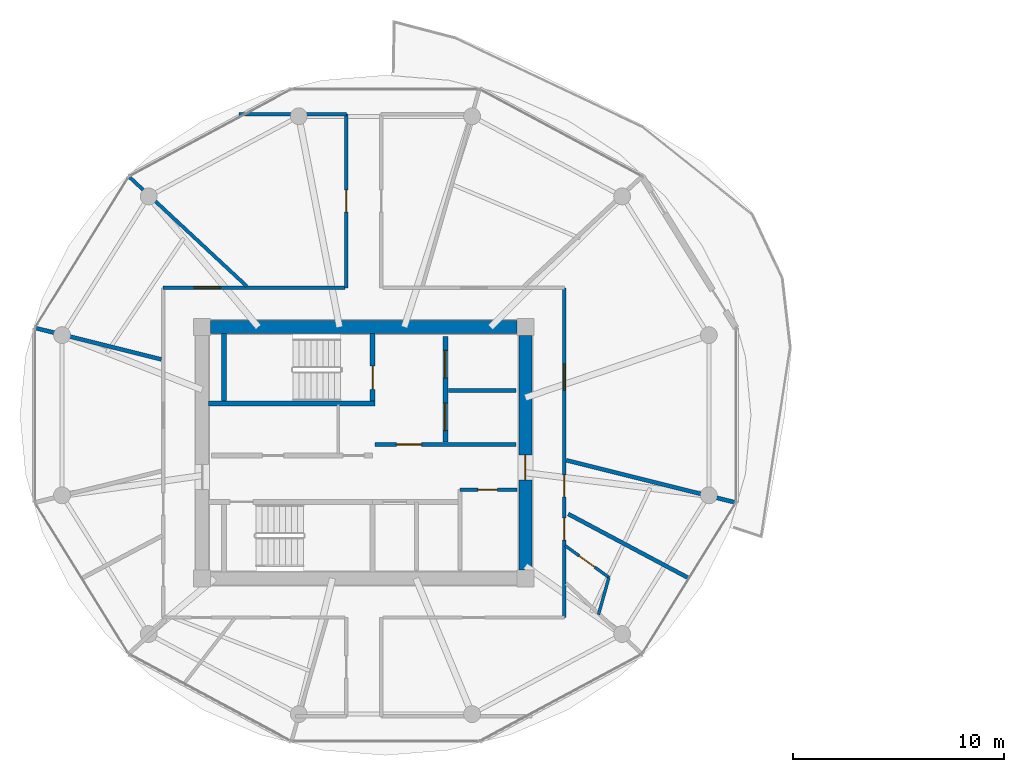
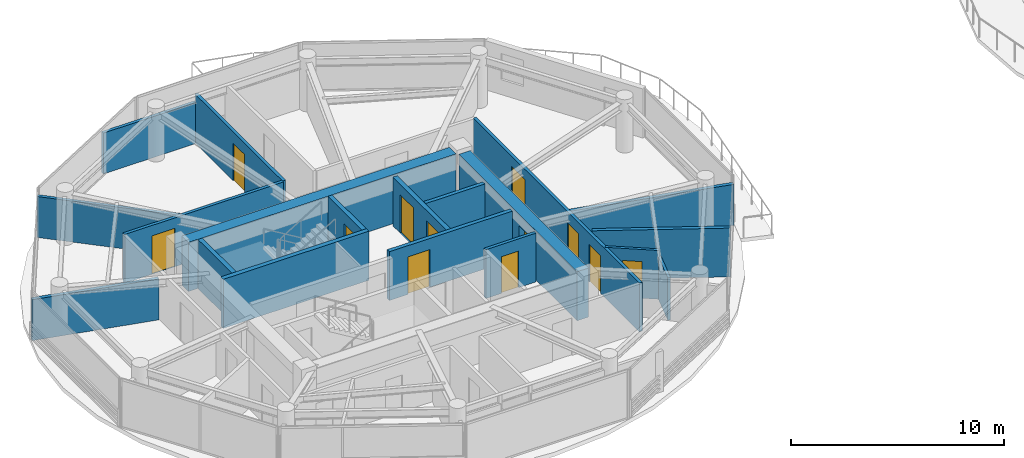
# One storey, part 14 of 21: 19 walls, 12 doors, 12 openings.
"""IFC4 building model written with IfcOpenShell, lengths in metres."""

import ifcopenshell
import ifcopenshell.guid

model = None  # the IFC model being written
_history = None  # IfcOwnerHistory: only IFC2X3 demands one
_inside = {}  # id of a spatial element -> (the spatial element, [elements in it])
_under = {}  # id of a project, library or spatial element -> (it, [spatial elements below it])
_declared = {}  # id of a project -> (the project, [libraries it declares])
_typed = {}  # id of a type object -> (the type object, [elements of that type])
_made_of = {}  # id of a material, layer set ... -> (it, [elements and type objects made of it])


def new_model(schema):
    """Start an empty IFC model of exactly this schema.

    Asked for "IFC4X3", IfcOpenShell would pick the latest addendum, in which some entities
    have other attributes; the version numbers below select the first issue.
    IFC2X3 requires an IfcOwnerHistory on every rooted entity: one is made here for all.
    """
    global model, _history
    if schema == "IFC4X3":
        model = ifcopenshell.file(schema_version=(4, 3, 0, 0))
    else:
        model = ifcopenshell.file(schema=schema)
    _inside.clear()
    _under.clear()
    _declared.clear()
    _typed.clear()
    _made_of.clear()
    _history = None
    if model.schema == "IFC2X3":
        org = make("IfcOrganization", Name="unknown")
        user = make(
            "IfcPersonAndOrganization",
            ThePerson=make("IfcPerson", FamilyName="unknown"),
            TheOrganization=org,
        )
        app = make(
            "IfcApplication",
            ApplicationDeveloper=org,
            Version="unknown",
            ApplicationFullName="unknown",
            ApplicationIdentifier="unknown",
        )
        _history = make(
            "IfcOwnerHistory",
            OwningUser=user,
            OwningApplication=app,
            ChangeAction="ADDED",
            CreationDate=0,
        )
    return model


def make(cls, **values):
    """One entity of the class cls with the attributes given. An attribute that is None is left unset."""
    return model.create_entity(
        cls, **{name: value for name, value in values.items() if value is not None}
    )


def rooted(cls, **values):
    """An entity with a GlobalId (a new one), such as an element, a storey or a relation."""
    return make(cls, GlobalId=ifcopenshell.guid.new(), OwnerHistory=_history, **values)


def si_unit(unit_type, name, prefix=None):
    """IfcSIUnit, for example si_unit("LENGTHUNIT", "METRE", prefix="MILLI")."""
    return make("IfcSIUnit", UnitType=unit_type, Prefix=prefix, Name=name)


def assignment(units):
    """IfcUnitAssignment: the units of a project."""
    return None if units is None else make("IfcUnitAssignment", Units=units)


def point(xyz):
    """IfcCartesianPoint."""
    return None if xyz is None else make("IfcCartesianPoint", Coordinates=xyz)


def direction(xyz):
    """IfcDirection."""
    return None if xyz is None else make("IfcDirection", DirectionRatios=xyz)


def frame(location, z_axis=None, x_axis=None):
    """IfcAxis2Placement3D, a coordinate frame: its origin and axes. An axis left out is left unset."""
    return make(
        "IfcAxis2Placement3D",
        Location=point(location),
        Axis=direction(z_axis),
        RefDirection=direction(x_axis),
    )


def frame_2d(location, x_axis=None):
    """IfcAxis2Placement2D, a coordinate frame in the plane: its origin and x axis."""
    return make(
        "IfcAxis2Placement2D", Location=point(location), RefDirection=direction(x_axis)
    )


def origin():
    """The frame at (0, 0, 0) with its axes left unset."""
    return frame((0.0, 0.0, 0.0))


def place(relative_to, where):
    """IfcLocalPlacement: puts the frame where relative to a parent placement (None: the world)."""
    return make(
        "IfcLocalPlacement", PlacementRelTo=relative_to, RelativePlacement=where
    )


def context(
    kind, dimensions, precision=None, world=None, true_north=None, identifier=None
):
    """IfcGeometricRepresentationContext, for example the 3D "Model" context."""
    return make(
        "IfcGeometricRepresentationContext",
        ContextIdentifier=identifier,
        ContextType=kind,
        CoordinateSpaceDimension=dimensions,
        Precision=precision,
        WorldCoordinateSystem=world,
        TrueNorth=true_north,
    )


def subcontext(parent, identifier, kind, view, scale=None):
    """IfcGeometricRepresentationSubContext, for example "Body" below "Model"."""
    return make(
        "IfcGeometricRepresentationSubContext",
        ContextIdentifier=identifier,
        ContextType=kind,
        ParentContext=parent,
        TargetScale=scale,
        TargetView=view,
    )


def project(units=None, contexts=None):
    """IfcProject with its units and contexts."""
    return rooted(
        "IfcProject",
        Name="project",
        RepresentationContexts=contexts,
        UnitsInContext=assignment(units),
    )


def spatial(cls, under=None, at=None, **own):
    """A site, building, storey or space (cls), placed at a placement, below another one or the project."""
    s = rooted(cls, ObjectPlacement=at, **own)
    if under is not None:
        _under.setdefault(under.id(), (under, []))[1].append(s)
    return s


def profile(cls, at=None, kind="AREA", **sizes):
    """A parametric profile (cls). Its sizes go by their IFC names, for example OverallWidth=200.0."""
    return make(cls, ProfileType=kind, Position=at, **sizes)


def rectangle(**sizes):
    """IfcRectangleProfileDef."""
    return profile("IfcRectangleProfileDef", **sizes)


def extrude(swept, where, along, depth):
    """IfcExtrudedAreaSolid: the profile swept, set in the frame where, extruded along a direction by depth."""
    return make(
        "IfcExtrudedAreaSolid",
        SweptArea=swept,
        Position=where,
        ExtrudedDirection=direction(along),
        Depth=depth,
    )


def shape(context_of_items, identifier, shape_type, items):
    """IfcShapeRepresentation: the items that make up one representation, for example the "Body"."""
    return make(
        "IfcShapeRepresentation",
        ContextOfItems=context_of_items,
        RepresentationIdentifier=identifier,
        RepresentationType=shape_type,
        Items=items,
    )


def source(mapping_origin, context_of_items, identifier, shape_type, items):
    """IfcRepresentationMap: a shape defined once, which mapped items show again and again."""
    return make(
        "IfcRepresentationMap",
        MappingOrigin=mapping_origin,
        MappedRepresentation=shape(context_of_items, identifier, shape_type, items),
    )


def transform(
    local_origin,
    x_axis=None,
    y_axis=None,
    z_axis=None,
    scale=None,
    scale2=None,
    scale3=None,
    uniform=True,
):
    """IfcCartesianTransformationOperator3D, or its non-uniform kind. x_axis, y_axis, z_axis: its Axis1, 2, 3."""
    if uniform:
        return make(
            "IfcCartesianTransformationOperator3D",
            Axis1=direction(x_axis),
            Axis2=direction(y_axis),
            LocalOrigin=point(local_origin),
            Scale=scale,
            Axis3=direction(z_axis),
        )
    return make(
        "IfcCartesianTransformationOperator3DnonUniform",
        Axis1=direction(x_axis),
        Axis2=direction(y_axis),
        LocalOrigin=point(local_origin),
        Scale=scale,
        Axis3=direction(z_axis),
        Scale2=scale2,
        Scale3=scale3,
    )


def mapped(mapping_source, mapping_target):
    """IfcMappedItem: shows the shape of a source again, moved by a transform."""
    return make(
        "IfcMappedItem", MappingSource=mapping_source, MappingTarget=mapping_target
    )


def material(Name=None, Category=None):
    """IfcMaterial."""
    return make("IfcMaterial", Name=Name, Category=Category)


def layer(
    of_material, thickness, ventilated=None, Name=None, Category=None, Priority=None
):
    """IfcMaterialLayer: one layer of a wall or slab, of a material (None: an air gap)."""
    return make(
        "IfcMaterialLayer",
        Material=of_material,
        LayerThickness=thickness,
        IsVentilated=ventilated,
        Name=Name,
        Category=Category,
        Priority=Priority,
    )


def layer_set(layers, Name=None):
    """IfcMaterialLayerSet."""
    return make("IfcMaterialLayerSet", MaterialLayers=layers, LayerSetName=Name)


def made_of(thing, what):
    """Note that an element or type object is made of a material, layer set ...; save() writes the relation."""
    if what is not None:
        _made_of.setdefault(what.id(), (what, []))[1].append(thing)
    return thing


def type_object(cls, material=None, **own):
    """A type object (cls), such as IfcWallType, which elements share."""
    return made_of(rooted(cls, **own), material)


def type_shapes(of_type, sources):
    """Give a type object the sources (RepresentationMaps) that its elements show as mapped items."""
    of_type.RepresentationMaps = sources


def element(
    cls,
    number,
    at=None,
    inside=None,
    cuts=None,
    type_object=None,
    material=None,
    context=None,
    identifier="Body",
    shape_type=None,
    held_by="IfcProductDefinitionShape",
    body=None,
    shapes=None,
    **own,
):
    """One element of the class cls, such as IfcWall. Its Tag is "e" and its number.

    at: its placement. inside: the storey or other place that contains it. cuts: it is an
    opening in that element (IfcRelVoidsElement). A single representation is given by context,
    identifier, shape_type and body (its items); several are given by shapes. held_by: the class
    of the entity that holds the representations. save() writes the other relations.
    """
    e = rooted(cls, Tag="e%d" % number, ObjectPlacement=at, **own)
    if body is not None:
        shapes = [shape(context, identifier, shape_type, body)]
    if shapes is not None:
        e.Representation = make(held_by, Representations=shapes)
    if inside is not None:
        _inside.setdefault(inside.id(), (inside, []))[1].append(e)
    if cuts is not None:
        rooted(
            "IfcRelVoidsElement", RelatingBuildingElement=cuts, RelatedOpeningElement=e
        )
    if type_object is not None:
        _typed.setdefault(type_object.id(), (type_object, []))[1].append(e)
    return made_of(e, material)


def fill(opening, filler):
    """IfcRelFillsElement: the door or window that sits in an opening."""
    return rooted(
        "IfcRelFillsElement",
        RelatingOpeningElement=opening,
        RelatedBuildingElement=filler,
    )


def aggregate(whole, parts):
    """IfcRelAggregates: a whole, such as a stair, and the parts it consists of."""
    return rooted("IfcRelAggregates", RelatingObject=whole, RelatedObjects=parts)


def save(model, path):
    """Write the relations noted so far, then the file.

    IfcRelAggregates (storeys below a building ...), IfcRelContainedInSpatialStructure (elements
    in a storey), IfcRelDefinesByType, IfcRelAssociatesMaterial and IfcRelDeclares: one each for
    every whole, place, type object, material and project.
    """
    for whole, parts in _under.values():
        aggregate(whole, parts)
    for where, things in _inside.values():
        rooted(
            "IfcRelContainedInSpatialStructure",
            RelatedElements=things,
            RelatingStructure=where,
        )
    for kind, things in _typed.values():
        rooted("IfcRelDefinesByType", RelatedObjects=things, RelatingType=kind)
    for what, things in _made_of.values():
        rooted("IfcRelAssociatesMaterial", RelatedObjects=things, RelatingMaterial=what)
    for by, libraries in _declared.values():
        rooted("IfcRelDeclares", RelatingContext=by, RelatedDefinitions=libraries)
    model.write(path)


model = new_model("IFC4")

# Units and contexts
model_context = context("Model", 3, precision=1e-05, world=origin(), true_north=direction((0.0, 1.0)))
body_context = subcontext(model_context, "Body", "Model", "MODEL_VIEW")
ifc_project = project(units=[si_unit("LENGTHUNIT", "METRE"), si_unit("AREAUNIT", "SQUARE_METRE"), si_unit("VOLUMEUNIT", "CUBIC_METRE"), si_unit("PLANEANGLEUNIT", "RADIAN"), si_unit("MASSUNIT", "GRAM", prefix="KILO")], contexts=[model_context])

# Site, building, storey
site_placement = place(None, origin())
site = spatial("IfcSite", under=ifc_project, at=site_placement, CompositionType="ELEMENT")
building_placement = place(site_placement, origin())
building = spatial("IfcBuilding", under=site, at=building_placement, Name="Norrkilde Senior Care Towers", CompositionType="ELEMENT")
storey_placement = place(building_placement, frame((0.0, 0.0, 140.39990234375)))
storey = spatial("IfcBuildingStorey", under=building, at=storey_placement, Name="L43", CompositionType="ELEMENT", Elevation=140.39990234375)

# Wall
ifc_material_1 = material(Name="Concrete C50/60", Category="concrete")
ifc_layer_1 = layer(ifc_material_1, 0.6201171875)
ifc_layer_set_1 = layer_set([ifc_layer_1], Name="Concrete C50/60")
wall_type_1 = type_object("IfcWallType", Name="Core Shear Wall Z3 620", PredefinedType="SHEAR", material=ifc_layer_set_1)
shared_shape_1 = source(origin(), body_context, "Body", "SweptSolid", [
    extrude(rectangle(XDim=14.5, YDim=0.6201171875, at=frame_2d((7.25, 0.0))), origin(), (0.0, 0.0, 1.0), 2.81005859375),
])
wall_1_placement = place(storey_placement, frame((-35.25, 5.949951171875, 0.0), z_axis=(0.0, 0.0, 1.0), x_axis=(1.0, 0.0, 0.0)))
element("IfcWall", 1, at=wall_1_placement, inside=storey, type_object=wall_type_1, Name="L43 Core W North Shear Wall", PredefinedType="SHEAR", context=body_context, shape_type="MappedRepresentation", body=[
    mapped(shared_shape_1, transform((0.0, 0.0, 0.0), x_axis=(1.0, 0.0, 0.0), y_axis=(0.0, 1.0, 0.0), z_axis=(0.0, 0.0, 1.0), scale=1.0)),
])

# Wall, opening, door
shared_shape_2 = source(origin(), body_context, "Body", "SweptSolid", [
    extrude(rectangle(XDim=11.10009765625, YDim=0.6201171875, at=frame_2d((5.550048828125, 0.0))), origin(), (0.0, 0.0, 1.0), 2.81005859375),
])
type_shapes(wall_type_1, [shared_shape_1, shared_shape_2])
wall_2_placement = place(storey_placement, frame((-20.35009765625, 5.550048828125, 0.0), z_axis=(0.0, 0.0, 1.0), x_axis=(0.0, -1.0, 0.0)))
wall_2 = element("IfcWall", 2, at=wall_2_placement, inside=storey, type_object=wall_type_1, Name="L43 Core W East Shear Wall", PredefinedType="SHEAR", context=body_context, shape_type="MappedRepresentation", body=[
    mapped(shared_shape_2, transform((0.0, 0.0, 0.0), x_axis=(1.0, 0.0, 0.0), y_axis=(0.0, 1.0, 0.0), z_axis=(0.0, 0.0, 1.0), scale=1.0)),
])
opening_1_placement = place(wall_2_placement, frame((5.64990234375, 0.0, 0.0)))
opening_1 = element("IfcOpeningElement", 3, at=opening_1_placement, cuts=wall_2, Name="Opening D-04", PredefinedType="OPENING", context=body_context, shape_type="SweptSolid", body=[
    extrude(rectangle(XDim=1.199951171875, YDim=2.14990234375, at=frame_2d((0.60009765625, 1.074951171875))), frame((0.0, 0.320068359375, 0.0), z_axis=(0.0, -1.0, 0.0), x_axis=(1.0, 0.0, 0.0)), (0.0, 0.0, 1.0), 0.64013671875),
])
ifc_material_2 = material(Name="Galvanised Painted Steel", Category="steel")
door_type_1 = type_object("IfcDoorType", Name="Firefighting Lobby Fire Door 1200x2150", OperationType="NOTDEFINED", PredefinedType="DOOR", material=ifc_material_2)
shared_shape_3 = source(origin(), body_context, "Body", "SweptSolid", [
    extrude(rectangle(XDim=1.199951171875, YDim=2.14990234375, at=frame_2d((0.60009765625, 1.074951171875))), frame((0.0, 0.02490234375, 0.0), z_axis=(0.0, -1.0, 0.0), x_axis=(1.0, 0.0, 0.0)), (0.0, 0.0, 1.0), 0.050048828125),
])
type_shapes(door_type_1, [shared_shape_3])
door_1_placement = place(opening_1_placement, frame((1.199951171875, 0.0, 0.0), z_axis=(0.0, 0.0, 1.0), x_axis=(-1.0, 0.0, 0.0)))
door_1 = element("IfcDoor", 4, at=door_1_placement, inside=storey, type_object=door_type_1, Name="L43 Core W East Portal Door", OperationType="SINGLE_SWING_RIGHT", OverallHeight=2.14990234375, OverallWidth=1.199951171875, PredefinedType="DOOR", context=body_context, shape_type="MappedRepresentation", body=[
    mapped(shared_shape_3, transform((0.0, 0.0, 0.0), x_axis=(1.0, 0.0, 0.0), y_axis=(0.0, 1.0, 0.0), z_axis=(0.0, 0.0, 1.0), scale=1.0)),
])
fill(opening_1, door_1)

# Walls
ifc_material_3 = material(Name="Concrete C45/55", Category="concrete")
ifc_layer_2 = layer(ifc_material_3, 0.239990234375)
ifc_layer_set_2 = layer_set([ifc_layer_2], Name="Concrete C45/55")
wall_type_2 = type_object("IfcWallType", Name="Shaft and Stair Enclosure Wall 240", PredefinedType="PARTITIONING", material=ifc_layer_set_2)
shared_shape_4 = source(origin(), body_context, "Body", "SweptSolid", [
    extrude(rectangle(XDim=7.880126953125, YDim=0.239990234375, at=frame_2d((3.93994140625, 0.0))), origin(), (0.0, 0.0, 1.0), 2.81005859375),
])
wall_3_placement = place(storey_placement, frame((-35.340087890625, 2.330078125, 0.0), z_axis=(0.0, 0.0, 1.0), x_axis=(1.0, 0.0, 0.0)))
element("IfcWall", 5, at=wall_3_placement, inside=storey, type_object=wall_type_2, Name="WL-INT-L43-W-ST1S", PredefinedType="PARTITIONING", context=body_context, shape_type="MappedRepresentation", body=[
    mapped(shared_shape_4, transform((0.0, 0.0, 0.0), x_axis=(1.0, 0.0, 0.0), y_axis=(0.0, 1.0, 0.0), z_axis=(0.0, 0.0, 1.0), scale=1.0)),
])
shared_shape_5 = source(origin(), body_context, "Body", "SweptSolid", [
    extrude(rectangle(XDim=3.18994140625, YDim=0.239990234375, at=frame_2d((1.594970703125, 0.0))), origin(), (0.0, 0.0, 1.0), 2.81005859375),
])
type_shapes(wall_type_2, [shared_shape_4, shared_shape_5])
wall_4_placement = place(storey_placement, frame((-34.6201171875, 2.449951171875, 0.0), z_axis=(0.0, 0.0, 1.0), x_axis=(0.0, 1.0, 0.0)))
element("IfcWall", 6, at=wall_4_placement, inside=storey, type_object=wall_type_2, Name="WL-INT-L43-W-ST1W", PredefinedType="PARTITIONING", context=body_context, shape_type="MappedRepresentation", body=[
    mapped(shared_shape_5, transform((0.0, 0.0, 0.0), x_axis=(1.0, 0.0, 0.0), y_axis=(0.0, 1.0, 0.0), z_axis=(0.0, 0.0, 1.0), scale=1.0)),
])

# Wall, opening, door
wall_5_placement = place(storey_placement, frame((-27.580078125, 2.449951171875, 0.0), z_axis=(0.0, 0.0, 1.0), x_axis=(0.0, 1.0, 0.0)))
wall_5 = element("IfcWall", 7, at=wall_5_placement, inside=storey, type_object=wall_type_2, Name="WL-INT-L43-W-ST1E", PredefinedType="PARTITIONING", context=body_context, shape_type="MappedRepresentation", body=[
    mapped(shared_shape_5, transform((0.0, 0.0, 0.0), x_axis=(1.0, 0.0, 0.0), y_axis=(0.0, 1.0, 0.0), z_axis=(0.0, 0.0, 1.0), scale=1.0)),
])
opening_2_placement = place(wall_5_placement, frame((0.550048828125, 0.0, 0.0)))
opening_2 = element("IfcOpeningElement", 8, at=opening_2_placement, cuts=wall_5, Name="Opening D-03", PredefinedType="OPENING", context=body_context, shape_type="SweptSolid", body=[
    extrude(rectangle(XDim=1.10009765625, YDim=2.14990234375, at=frame_2d((0.550048828125, 1.074951171875))), frame((0.0, 0.1298828125, 0.0), z_axis=(0.0, -1.0, 0.0), x_axis=(1.0, 0.0, 0.0)), (0.0, 0.0, 1.0), 0.260009765625),
])
door_type_2 = type_object("IfcDoorType", Name="Stairwell Protected Fire Door 1100x2150", OperationType="NOTDEFINED", PredefinedType="DOOR", material=ifc_material_2)
shared_shape_6 = source(origin(), body_context, "Body", "SweptSolid", [
    extrude(rectangle(XDim=1.10009765625, YDim=2.14990234375, at=frame_2d((0.550048828125, 1.074951171875))), frame((0.0, 0.02490234375, 0.0), z_axis=(0.0, -1.0, 0.0), x_axis=(1.0, 0.0, 0.0)), (0.0, 0.0, 1.0), 0.050048828125),
])
type_shapes(door_type_2, [shared_shape_6])
door_2_placement = place(opening_2_placement, origin())
door_2 = element("IfcDoor", 9, at=door_2_placement, inside=storey, type_object=door_type_2, Name="L43 Stair W1 Fire Door", OperationType="SINGLE_SWING_LEFT", OverallHeight=2.14990234375, OverallWidth=1.10009765625, PredefinedType="DOOR", context=body_context, shape_type="MappedRepresentation", body=[
    mapped(shared_shape_6, transform((0.0, 0.0, 0.0), x_axis=(1.0, 0.0, 0.0), y_axis=(0.0, 1.0, 0.0), z_axis=(0.0, 0.0, 1.0), scale=1.0)),
])
fill(opening_2, door_2)

# Wall
ifc_material_4 = material(Name="Gypsum Acoustic Board")
ifc_layer_3 = layer(ifc_material_4, 0.139892578125)
ifc_layer_set_3 = layer_set([ifc_layer_3], Name="Gypsum Acoustic Board")
wall_type_3 = type_object("IfcWallType", Name="En-suite Wet Room Wall 140", PredefinedType="PARTITIONING", material=ifc_layer_set_3)
shared_shape_7 = source(origin(), body_context, "Body", "SweptSolid", [
    extrude(rectangle(XDim=1.825927734375, YDim=0.139892578125, at=frame_2d((0.9130859375, 0.0))), origin(), (0.0, 0.0, 1.0), 2.43505859375),
])
wall_6_placement = place(storey_placement, frame((-16.3955078125, -5.902587890625, 0.0), z_axis=(0.0, 0.0, 1.0), x_axis=(-0.270745576918, -0.962650940154, 0.0)))
element("IfcWall", 10, at=wall_6_placement, inside=storey, type_object=wall_type_3, Name="WL-INT-L43-W-EF-10A", PredefinedType="PARTITIONING", context=body_context, shape_type="MappedRepresentation", body=[
    mapped(shared_shape_7, transform((0.0, 0.0, 0.0), x_axis=(1.0, 0.0, 0.0), y_axis=(0.0, 1.0, 0.0), z_axis=(0.0, 0.0, 1.0), scale=1.0)),
])

# Wall, openings, doors
ifc_layer_4 = layer(ifc_material_3, 0.239990234375)
ifc_layer_set_4 = layer_set([ifc_layer_4], Name="Concrete C45/55")
wall_type_4 = type_object("IfcWallType", Name="Lift and Plant Rated Enclosure Partition 240", PredefinedType="PARTITIONING", material=ifc_layer_set_4)
shared_shape_8 = source(origin(), body_context, "Body", "SweptSolid", [
    extrude(rectangle(XDim=5.0, YDim=0.239990234375, at=frame_2d((2.5, 0.0))), origin(), (0.0, 0.0, 1.0), 2.795166015625),
])
type_shapes(wall_type_4, [shared_shape_8])
wall_7_placement = place(storey_placement, frame((-24.139892578125, 0.5, 0.0), z_axis=(0.0, 0.0, 1.0), x_axis=(0.0, 1.0, 0.0)))
wall_7 = element("IfcWall", 11, at=wall_7_placement, inside=storey, type_object=wall_type_4, Name="WL-INT-L43-W-FFLE", PredefinedType="PARTITIONING", context=body_context, shape_type="MappedRepresentation", body=[
    mapped(shared_shape_8, transform((0.0, 0.0, 0.0), x_axis=(1.0, 0.0, 0.0), y_axis=(0.0, 1.0, 0.0), z_axis=(0.0, 0.0, 1.0), scale=1.0)),
])
opening_3_placement = place(wall_7_placement, frame((3.050048828125, 0.0, 0.0)))
opening_3 = element("IfcOpeningElement", 12, at=opening_3_placement, cuts=wall_7, Name="Opening LD-02", PredefinedType="OPENING", context=body_context, shape_type="SweptSolid", body=[
    extrude(rectangle(XDim=1.300048828125, YDim=2.199951171875, at=frame_2d((0.64990234375, 1.10009765625))), frame((0.0, 0.1298828125, 0.0), z_axis=(0.0, -1.0, 0.0), x_axis=(1.0, 0.0, 0.0)), (0.0, 0.0, 1.0), 0.260009765625),
])
opening_4_placement = place(wall_7_placement, frame((0.550048828125, 0.0, 0.0)))
opening_4 = element("IfcOpeningElement", 13, at=opening_4_placement, cuts=wall_7, Name="Opening LD-02", PredefinedType="OPENING", context=body_context, shape_type="SweptSolid", body=[
    extrude(rectangle(XDim=1.300048828125, YDim=2.199951171875, at=frame_2d((0.64990234375, 1.10009765625))), frame((0.0, 0.1298828125, 0.0), z_axis=(0.0, -1.0, 0.0), x_axis=(1.0, 0.0, 0.0)), (0.0, 0.0, 1.0), 0.260009765625),
])
ifc_material_5 = material(Name="Stainless Steel", Category="steel")
door_type_3 = type_object("IfcDoorType", Name="Stretcher and FFL Landing Sliding Door 1300x2200", OperationType="NOTDEFINED", PredefinedType="DOOR", material=ifc_material_5)
shared_shape_9 = source(origin(), body_context, "Body", "SweptSolid", [
    extrude(rectangle(XDim=1.300048828125, YDim=2.199951171875, at=frame_2d((0.64990234375, 1.10009765625))), frame((0.0, 0.02490234375, 0.0), z_axis=(0.0, -1.0, 0.0), x_axis=(1.0, 0.0, 0.0)), (0.0, 0.0, 1.0), 0.050048828125),
])
type_shapes(door_type_3, [shared_shape_9])
door_3_placement = place(opening_3_placement, origin())
door_3 = element("IfcDoor", 14, at=door_3_placement, inside=storey, type_object=door_type_3, Name="L43 Firefighting Lift W1 Landing Door", OperationType="SLIDING_TO_LEFT", OverallHeight=2.199951171875, OverallWidth=1.300048828125, PredefinedType="DOOR", context=body_context, shape_type="MappedRepresentation", body=[
    mapped(shared_shape_9, transform((0.0, 0.0, 0.0), x_axis=(1.0, 0.0, 0.0), y_axis=(0.0, 1.0, 0.0), z_axis=(0.0, 0.0, 1.0), scale=1.0)),
])
fill(opening_3, door_3)
door_4_placement = place(opening_4_placement, origin())
door_4 = element("IfcDoor", 15, at=door_4_placement, inside=storey, type_object=door_type_3, Name="L43 Stretcher Lift W1 Landing Door", OperationType="SLIDING_TO_RIGHT", OverallHeight=2.199951171875, OverallWidth=1.300048828125, PredefinedType="DOOR", context=body_context, shape_type="MappedRepresentation", body=[
    mapped(shared_shape_9, transform((0.0, 0.0, 0.0), x_axis=(1.0, 0.0, 0.0), y_axis=(0.0, 1.0, 0.0), z_axis=(0.0, 0.0, 1.0), scale=1.0)),
])
fill(opening_4, door_4)

# Wall
ifc_layer_5 = layer(ifc_material_3, 0.199951171875)
ifc_layer_set_5 = layer_set([ifc_layer_5], Name="Concrete C45/55")
wall_type_5 = type_object("IfcWallType", Name="Shaft Division and Plant Partition 200", PredefinedType="PARTITIONING", material=ifc_layer_set_5)
shared_shape_10 = source(origin(), body_context, "Body", "SweptSolid", [
    extrude(rectangle(XDim=3.199951171875, YDim=0.199951171875, at=frame_2d((1.60009765625, 0.0))), origin(), (0.0, 0.0, 1.0), 2.795166015625),
])
type_shapes(wall_type_5, [shared_shape_10])
wall_8_placement = place(storey_placement, frame((-24.0, 2.949951171875, 0.0), z_axis=(0.0, 0.0, 1.0), x_axis=(1.0, 0.0, 0.0)))
element("IfcWall", 16, at=wall_8_placement, inside=storey, type_object=wall_type_5, Name="WL-INT-L43-W-FFLDIV", PredefinedType="PARTITIONING", context=body_context, shape_type="MappedRepresentation", body=[
    mapped(shared_shape_10, transform((0.0, 0.0, 0.0), x_axis=(1.0, 0.0, 0.0), y_axis=(0.0, 1.0, 0.0), z_axis=(0.0, 0.0, 1.0), scale=1.0)),
])

# Wall, opening, door
ifc_layer_6 = layer(ifc_material_3, 0.2099609375)
ifc_layer_set_6 = layer_set([ifc_layer_6], Name="Concrete C45/55")
wall_type_6 = type_object("IfcWallType", Name="Firefighting Lobby Wall 210", PredefinedType="PARTITIONING", material=ifc_layer_set_6)
shared_shape_11 = source(origin(), body_context, "Body", "SweptSolid", [
    extrude(rectangle(XDim=6.659912109375, YDim=0.2099609375, at=frame_2d((3.330078125, 0.0))), origin(), (0.0, 0.0, 1.0), 2.795166015625),
])
type_shapes(wall_type_6, [shared_shape_11])
wall_9_placement = place(storey_placement, frame((-27.4599609375, 0.389892578125, 0.0), z_axis=(0.0, 0.0, 1.0), x_axis=(1.0, 0.0, 0.0)))
wall_9 = element("IfcWall", 17, at=wall_9_placement, inside=storey, type_object=wall_type_6, Name="WL-INT-L43-W-FFLS", PredefinedType="PARTITIONING", context=body_context, shape_type="MappedRepresentation", body=[
    mapped(shared_shape_11, transform((0.0, 0.0, 0.0), x_axis=(1.0, 0.0, 0.0), y_axis=(0.0, 1.0, 0.0), z_axis=(0.0, 0.0, 1.0), scale=1.0)),
])
opening_5_placement = place(wall_9_placement, frame((1.0, 0.0, 0.0)))
opening_5 = element("IfcOpeningElement", 18, at=opening_5_placement, cuts=wall_9, Name="Opening D-04", PredefinedType="OPENING", context=body_context, shape_type="SweptSolid", body=[
    extrude(rectangle(XDim=1.199951171875, YDim=2.14990234375, at=frame_2d((0.60009765625, 1.074951171875))), frame((0.0, 0.114990234375, 0.0), z_axis=(0.0, -1.0, 0.0), x_axis=(1.0, 0.0, 0.0)), (0.0, 0.0, 1.0), 0.22998046875),
])
door_5_placement = place(opening_5_placement, frame((1.199951171875, 0.0, 0.0), z_axis=(0.0, 0.0, 1.0), x_axis=(-1.0, 0.0, 0.0)))
door_5 = element("IfcDoor", 19, at=door_5_placement, inside=storey, type_object=door_type_1, Name="L43 Firefighting Lobby W Door", OperationType="SINGLE_SWING_LEFT", OverallHeight=2.14990234375, OverallWidth=1.199951171875, PredefinedType="DOOR", context=body_context, shape_type="MappedRepresentation", body=[
    mapped(shared_shape_3, transform((0.0, 0.0, 0.0), x_axis=(1.0, 0.0, 0.0), y_axis=(0.0, 1.0, 0.0), z_axis=(0.0, 0.0, 1.0), scale=1.0)),
])
fill(opening_5, door_5)

ifc_layer_7 = layer(ifc_material_4, 0.1650390625)
ifc_layer_set_7 = layer_set([ifc_layer_7], Name="Gypsum Acoustic Board")
wall_type_7 = type_object("IfcWallType", Name="Corridor Rated Partition 165", PredefinedType="PARTITIONING", material=ifc_layer_set_7)
shared_shape_12 = source(origin(), body_context, "Body", "SweptSolid", [
    extrude(rectangle(XDim=2.699951171875, YDim=0.1650390625, at=frame_2d((1.35009765625, 0.0))), origin(), (0.0, 0.0, 1.0), 2.795166015625),
])
wall_10_placement = place(storey_placement, frame((-23.449951171875, -1.75, 0.0), z_axis=(0.0, 0.0, 1.0), x_axis=(1.0, 0.0, 0.0)))
wall_10 = element("IfcWall", 20, at=wall_10_placement, inside=storey, type_object=wall_type_7, Name="WL-INT-L43-W-CSN", PredefinedType="PARTITIONING", context=body_context, shape_type="MappedRepresentation", body=[
    mapped(shared_shape_12, transform((0.0, 0.0, 0.0), x_axis=(1.0, 0.0, 0.0), y_axis=(0.0, 1.0, 0.0), z_axis=(0.0, 0.0, 1.0), scale=1.0)),
])
opening_6_placement = place(wall_10_placement, frame((0.85009765625, 0.0, 0.0)))
opening_6 = element("IfcOpeningElement", 21, at=opening_6_placement, cuts=wall_10, Name="Opening D-12", PredefinedType="OPENING", context=body_context, shape_type="SweptSolid", body=[
    extrude(rectangle(XDim=0.925048828125, YDim=2.10009765625, at=frame_2d((0.46240234375, 1.050048828125))), frame((0.0, 0.092529296875, 0.0), z_axis=(0.0, -1.0, 0.0), x_axis=(1.0, 0.0, 0.0)), (0.0, 0.0, 1.0), 0.18505859375),
])
door_type_4 = type_object("IfcDoorType", Name="Core Wet Room Rated Door 925x2100", OperationType="NOTDEFINED", PredefinedType="DOOR", material=ifc_material_2)
shared_shape_13 = source(origin(), body_context, "Body", "SweptSolid", [
    extrude(rectangle(XDim=0.925048828125, YDim=2.10009765625, at=frame_2d((0.46240234375, 1.050048828125))), frame((0.0, 0.02490234375, 0.0), z_axis=(0.0, -1.0, 0.0), x_axis=(1.0, 0.0, 0.0)), (0.0, 0.0, 1.0), 0.050048828125),
])
type_shapes(door_type_4, [shared_shape_13])
door_6_placement = place(opening_6_placement, origin())
door_6 = element("IfcDoor", 22, at=door_6_placement, inside=storey, type_object=door_type_4, Name="L43 Core Utility W Door", OperationType="SINGLE_SWING_LEFT", OverallHeight=2.10009765625, OverallWidth=0.925048828125, PredefinedType="DOOR", context=body_context, shape_type="MappedRepresentation", body=[
    mapped(shared_shape_13, transform((0.0, 0.0, 0.0), x_axis=(1.0, 0.0, 0.0), y_axis=(0.0, 1.0, 0.0), z_axis=(0.0, 0.0, 1.0), scale=1.0)),
])
fill(opening_6, door_6)

shared_shape_14 = source(origin(), body_context, "Body", "SweptSolid", [
    extrude(rectangle(XDim=8.60009765625, YDim=0.1650390625, at=frame_2d((4.300048828125, 0.0))), origin(), (0.0, 0.0, 1.0), 2.795166015625),
])
wall_11_placement = place(storey_placement, frame((-37.5, 7.800048828125, 0.0), z_axis=(0.0, 0.0, 1.0), x_axis=(1.0, 0.0, 0.0)))
wall_11 = element("IfcWall", 23, at=wall_11_placement, inside=storey, type_object=wall_type_7, Name="WL-INT-L43-W-CRW-N-0", PredefinedType="PARTITIONING", context=body_context, shape_type="MappedRepresentation", body=[
    mapped(shared_shape_14, transform((0.0, 0.0, 0.0), x_axis=(1.0, 0.0, 0.0), y_axis=(0.0, 1.0, 0.0), z_axis=(0.0, 0.0, 1.0), scale=1.0)),
])
opening_7_placement = place(wall_11_placement, frame((1.47119140625, 0.0, 0.0)))
opening_7 = element("IfcOpeningElement", 24, at=opening_7_placement, cuts=wall_11, Name="Opening D-05", PredefinedType="OPENING", context=body_context, shape_type="SweptSolid", body=[
    extrude(rectangle(XDim=1.25, YDim=2.199951171875, at=frame_2d((0.625, 1.10009765625))), frame((0.0, 0.092529296875, 0.0), z_axis=(0.0, -1.0, 0.0), x_axis=(1.0, 0.0, 0.0)), (0.0, 0.0, 1.0), 0.18505859375),
])
ifc_material_6 = material(Name="Nordic Ash Timber", Category="wood")
door_type_5 = type_object("IfcDoorType", Name="Care Bedroom Bariatric Door 1250x2200", OperationType="NOTDEFINED", PredefinedType="DOOR", material=ifc_material_6)
shared_shape_15 = source(origin(), body_context, "Body", "SweptSolid", [
    extrude(rectangle(XDim=1.25, YDim=2.199951171875, at=frame_2d((0.625, 1.10009765625))), frame((0.0, 0.02490234375, 0.0), z_axis=(0.0, -1.0, 0.0), x_axis=(1.0, 0.0, 0.0)), (0.0, 0.0, 1.0), 0.050048828125),
])
type_shapes(door_type_5, [shared_shape_15])
door_7_placement = place(opening_7_placement, frame((1.25, 0.0, 0.0), z_axis=(0.0, 0.0, 1.0), x_axis=(-1.0, 0.0, 0.0)))
door_7 = element("IfcDoor", 25, at=door_7_placement, inside=storey, type_object=door_type_5, Name="L43 Sky-Garden Observatory Dining Salon L43 Door", OperationType="SINGLE_SWING_LEFT", OverallHeight=2.199951171875, OverallWidth=1.25, PredefinedType="DOOR", context=body_context, shape_type="MappedRepresentation", body=[
    mapped(shared_shape_15, transform((0.0, 0.0, 0.0), x_axis=(1.0, 0.0, 0.0), y_axis=(0.0, 1.0, 0.0), z_axis=(0.0, 0.0, 1.0), scale=1.0)),
])
fill(opening_7, door_7)

# Wall, openings, doors
shared_shape_16 = source(origin(), body_context, "Body", "SweptSolid", [
    extrude(rectangle(XDim=15.60009765625, YDim=0.1650390625, at=frame_2d((7.800048828125, 0.0))), origin(), (0.0, 0.0, 1.0), 2.795166015625),
])
wall_12_placement = place(storey_placement, frame((-18.5, 7.800048828125, 0.0), z_axis=(0.0, 0.0, 1.0), x_axis=(0.0, -1.0, 0.0)))
wall_12 = element("IfcWall", 26, at=wall_12_placement, inside=storey, type_object=wall_type_7, Name="WL-INT-L43-W-CRW-E-0", PredefinedType="PARTITIONING", context=body_context, shape_type="MappedRepresentation", body=[
    mapped(shared_shape_16, transform((0.0, 0.0, 0.0), x_axis=(1.0, 0.0, 0.0), y_axis=(0.0, 1.0, 0.0), z_axis=(0.0, 0.0, 1.0), scale=1.0)),
])
opening_8_placement = place(wall_12_placement, frame((10.881103515625, 0.0, 0.0)))
opening_8 = element("IfcOpeningElement", 27, at=opening_8_placement, cuts=wall_12, Name="Opening D-06", PredefinedType="OPENING", context=body_context, shape_type="SweptSolid", body=[
    extrude(rectangle(XDim=1.050048828125, YDim=2.14990234375, at=frame_2d((0.52490234375, 1.074951171875))), frame((0.0, 0.092529296875, 0.0), z_axis=(0.0, -1.0, 0.0), x_axis=(1.0, 0.0, 0.0)), (0.0, 0.0, 1.0), 0.18505859375),
])
opening_9_placement = place(wall_12_placement, frame((8.844482421875, 0.0, 0.0)))
opening_9 = element("IfcOpeningElement", 28, at=opening_9_placement, cuts=wall_12, Name="Opening D-06", PredefinedType="OPENING", context=body_context, shape_type="SweptSolid", body=[
    extrude(rectangle(XDim=1.050048828125, YDim=2.14990234375, at=frame_2d((0.52490234375, 1.074951171875))), frame((0.0, 0.092529296875, 0.0), z_axis=(0.0, -1.0, 0.0), x_axis=(1.0, 0.0, 0.0)), (0.0, 0.0, 1.0), 0.18505859375),
])
opening_10_placement = place(wall_12_placement, frame((3.595703125, 0.0, 0.0)))
opening_10 = element("IfcOpeningElement", 29, at=opening_10_placement, cuts=wall_12, Name="Opening D-05", PredefinedType="OPENING", context=body_context, shape_type="SweptSolid", body=[
    extrude(rectangle(XDim=1.25, YDim=2.199951171875, at=frame_2d((0.625, 1.10009765625))), frame((0.0, 0.092529296875, 0.0), z_axis=(0.0, -1.0, 0.0), x_axis=(1.0, 0.0, 0.0)), (0.0, 0.0, 1.0), 0.18505859375),
])
door_8_placement = place(opening_10_placement, frame((1.25, 0.0, 0.0), z_axis=(0.0, 0.0, 1.0), x_axis=(-1.0, 0.0, 0.0)))
door_8 = element("IfcDoor", 30, at=door_8_placement, inside=storey, type_object=door_type_5, Name="L43 Household Communal Dining Salon Door", OperationType="SINGLE_SWING_RIGHT", OverallHeight=2.199951171875, OverallWidth=1.25, PredefinedType="DOOR", context=body_context, shape_type="MappedRepresentation", body=[
    mapped(shared_shape_15, transform((0.0, 0.0, 0.0), x_axis=(1.0, 0.0, 0.0), y_axis=(0.0, 1.0, 0.0), z_axis=(0.0, 0.0, 1.0), scale=1.0)),
])
fill(opening_10, door_8)
door_type_6 = type_object("IfcDoorType", Name="Apartment Entrance Fire Door 1050x2150", OperationType="NOTDEFINED", PredefinedType="DOOR", material=ifc_material_6)
shared_shape_17 = source(origin(), body_context, "Body", "SweptSolid", [
    extrude(rectangle(XDim=1.050048828125, YDim=2.14990234375, at=frame_2d((0.52490234375, 1.074951171875))), frame((0.0, 0.02490234375, 0.0), z_axis=(0.0, -1.0, 0.0), x_axis=(1.0, 0.0, 0.0)), (0.0, 0.0, 1.0), 0.050048828125),
])
type_shapes(door_type_6, [shared_shape_17])
door_9_placement = place(opening_8_placement, frame((1.050048828125, 0.0, 0.0), z_axis=(0.0, 0.0, 1.0), x_axis=(-1.0, 0.0, 0.0)))
door_9 = element("IfcDoor", 31, at=door_9_placement, inside=storey, type_object=door_type_6, Name="L43 Care Suite 4310A Entrance Door", OperationType="SINGLE_SWING_LEFT", OverallHeight=2.14990234375, OverallWidth=1.050048828125, PredefinedType="DOOR", context=body_context, shape_type="MappedRepresentation", body=[
    mapped(shared_shape_17, transform((0.0, 0.0, 0.0), x_axis=(1.0, 0.0, 0.0), y_axis=(0.0, 1.0, 0.0), z_axis=(0.0, 0.0, 1.0), scale=1.0)),
])
fill(opening_8, door_9)
door_10_placement = place(opening_9_placement, frame((1.050048828125, 0.0, 0.0), z_axis=(0.0, 0.0, 1.0), x_axis=(-1.0, 0.0, 0.0)))
door_10 = element("IfcDoor", 32, at=door_10_placement, inside=storey, type_object=door_type_6, Name="L43 Therapy Day Lounge 10 Door", OperationType="SINGLE_SWING_RIGHT", OverallHeight=2.14990234375, OverallWidth=1.050048828125, PredefinedType="DOOR", context=body_context, shape_type="MappedRepresentation", body=[
    mapped(shared_shape_17, transform((0.0, 0.0, 0.0), x_axis=(1.0, 0.0, 0.0), y_axis=(0.0, 1.0, 0.0), z_axis=(0.0, 0.0, 1.0), scale=1.0)),
])
fill(opening_9, door_10)

# Wall
shared_shape_18 = source(origin(), body_context, "Body", "SweptSolid", [
    extrude(rectangle(XDim=7.64794921875, YDim=0.1650390625, at=frame_2d((3.823974609375, 0.0))), origin(), (0.0, 0.0, 1.0), 2.34521484375),
])
wall_13_placement = place(storey_placement, frame((-33.53759765625, 7.8798828125, 0.0), z_axis=(0.0, 0.0, 1.0), x_axis=(-0.732167856666, 0.681124239522, 0.0)))
element("IfcWall", 33, at=wall_13_placement, inside=storey, type_object=wall_type_7, Name="WL-INT-L43-W-DEM-04-0", PredefinedType="PARTITIONING", context=body_context, shape_type="MappedRepresentation", body=[
    mapped(shared_shape_18, transform((0.0, 0.0, 0.0), x_axis=(1.0, 0.0, 0.0), y_axis=(0.0, 1.0, 0.0), z_axis=(0.0, 0.0, 1.0), scale=1.0)),
])

# Wall, opening, door
shared_shape_19 = source(origin(), body_context, "Body", "SweptSolid", [
    extrude(rectangle(XDim=8.2353515625, YDim=0.1650390625, at=frame_2d((4.11767578125, 0.0))), origin(), (0.0, 0.0, 1.0), 2.795166015625),
])
wall_14_placement = place(storey_placement, frame((-28.820068359375, 7.800048828125, 0.0), z_axis=(0.0, 0.0, 1.0), x_axis=(0.0, 1.0, 0.0)))
wall_14 = element("IfcWall", 34, at=wall_14_placement, inside=storey, type_object=wall_type_7, Name="WL-INT-L43-W-PKW-NWL", PredefinedType="PARTITIONING", context=body_context, shape_type="MappedRepresentation", body=[
    mapped(shared_shape_19, transform((0.0, 0.0, 0.0), x_axis=(1.0, 0.0, 0.0), y_axis=(0.0, 1.0, 0.0), z_axis=(0.0, 0.0, 1.0), scale=1.0)),
])
opening_11_placement = place(wall_14_placement, frame((3.5927734375, 0.0, 0.0)))
opening_11 = element("IfcOpeningElement", 35, at=opening_11_placement, cuts=wall_14, Name="Opening D-06", PredefinedType="OPENING", context=body_context, shape_type="SweptSolid", body=[
    extrude(rectangle(XDim=1.050048828125, YDim=2.14990234375, at=frame_2d((0.52490234375, 1.074951171875))), frame((0.0, 0.092529296875, 0.0), z_axis=(0.0, -1.0, 0.0), x_axis=(1.0, 0.0, 0.0)), (0.0, 0.0, 1.0), 0.18505859375),
])
door_11_placement = place(opening_11_placement, frame((1.050048828125, 0.0, 0.0), z_axis=(0.0, 0.0, 1.0), x_axis=(-1.0, 0.0, 0.0)))
door_11 = element("IfcDoor", 36, at=door_11_placement, inside=storey, type_object=door_type_6, Name="L43 Reading Lounge NWL Door", OperationType="SINGLE_SWING_RIGHT", OverallHeight=2.14990234375, OverallWidth=1.050048828125, PredefinedType="DOOR", context=body_context, shape_type="MappedRepresentation", body=[
    mapped(shared_shape_17, transform((0.0, 0.0, 0.0), x_axis=(1.0, 0.0, 0.0), y_axis=(0.0, 1.0, 0.0), z_axis=(0.0, 0.0, 1.0), scale=1.0)),
])
fill(opening_11, door_11)

# Walls
shared_shape_20 = source(origin(), body_context, "Body", "SweptSolid", [
    extrude(rectangle(XDim=5.0888671875, YDim=0.1650390625, at=frame_2d((2.54443359375, 0.0))), origin(), (0.0, 0.0, 1.0), 2.34521484375),
])
type_shapes(wall_type_7, [shared_shape_12, shared_shape_14, shared_shape_16, shared_shape_18, shared_shape_19, shared_shape_20])
wall_15_placement = place(storey_placement, frame((-33.908935546875, 16.035400390625, 0.0), z_axis=(0.0, 0.0, 1.0), x_axis=(1.0, 0.0, 0.0)))
element("IfcWall", 37, at=wall_15_placement, inside=storey, type_object=wall_type_7, Name="WL-INT-L43-W-PKH-NWL-0", PredefinedType="PARTITIONING", context=body_context, shape_type="MappedRepresentation", body=[
    mapped(shared_shape_20, transform((0.0, 0.0, 0.0), x_axis=(1.0, 0.0, 0.0), y_axis=(0.0, 1.0, 0.0), z_axis=(0.0, 0.0, 1.0), scale=1.0)),
])
ifc_layer_8 = layer(ifc_material_4, 0.18994140625)
ifc_layer_set_8 = layer_set([ifc_layer_8], Name="Gypsum Acoustic Board")
wall_type_8 = type_object("IfcWallType", Name="Unit Demising Acoustic Wall 190", PredefinedType="PARTITIONING", material=ifc_layer_set_8)
shared_shape_21 = source(origin(), body_context, "Body", "SweptSolid", [
    extrude(rectangle(XDim=6.192626953125, YDim=0.18994140625, at=frame_2d((3.09619140625, 0.0))), origin(), (0.0, 0.0, 1.0), 2.34521484375),
])
wall_16_placement = place(storey_placement, frame((-37.580078125, 4.418701171875, 0.0), z_axis=(0.0, 0.0, 1.0), x_axis=(-0.970309243466, 0.241867674657, 0.0)))
element("IfcWall", 38, at=wall_16_placement, inside=storey, type_object=wall_type_8, Name="WL-INT-L43-W-DEM-05-0", PredefinedType="PARTITIONING", context=body_context, shape_type="MappedRepresentation", body=[
    mapped(shared_shape_21, transform((0.0, 0.0, 0.0), x_axis=(1.0, 0.0, 0.0), y_axis=(0.0, 1.0, 0.0), z_axis=(0.0, 0.0, 1.0), scale=1.0)),
])
shared_shape_22 = source(origin(), body_context, "Body", "SweptSolid", [
    extrude(rectangle(XDim=8.305419921875, YDim=0.18994140625, at=frame_2d((4.15283203125, 0.0))), origin(), (0.0, 0.0, 1.0), 2.34521484375),
])
wall_17_placement = place(storey_placement, frame((-18.419921875, -0.35693359375, 0.0), z_axis=(0.0, 0.0, 1.0), x_axis=(0.970309994378, -0.241864662175, 0.0)))
element("IfcWall", 39, at=wall_17_placement, inside=storey, type_object=wall_type_8, Name="WL-INT-L43-W-DEM-11-0", PredefinedType="PARTITIONING", context=body_context, shape_type="MappedRepresentation", body=[
    mapped(shared_shape_22, transform((0.0, 0.0, 0.0), x_axis=(1.0, 0.0, 0.0), y_axis=(0.0, 1.0, 0.0), z_axis=(0.0, 0.0, 1.0), scale=1.0)),
])
shared_shape_23 = source(origin(), body_context, "Body", "SweptSolid", [
    extrude(rectangle(XDim=6.499267578125, YDim=0.18994140625, at=frame_2d((3.24951171875, 0.0))), origin(), (0.0, 0.0, 1.0), 2.795166015625),
])
type_shapes(wall_type_8, [shared_shape_21, shared_shape_22, shared_shape_23])
wall_18_placement = place(storey_placement, frame((-18.32373046875, -2.89794921875, 0.0), z_axis=(0.0, 0.0, 1.0), x_axis=(0.882700013711, -0.469936895545, 0.0)))
element("IfcWall", 40, at=wall_18_placement, inside=storey, type_object=wall_type_8, Name="WL-INT-L43-W-CMID-10", PredefinedType="PARTITIONING", context=body_context, shape_type="MappedRepresentation", body=[
    mapped(shared_shape_23, transform((0.0, 0.0, 0.0), x_axis=(1.0, 0.0, 0.0), y_axis=(0.0, 1.0, 0.0), z_axis=(0.0, 0.0, 1.0), scale=1.0)),
])

# Wall, opening, door
shared_shape_24 = source(origin(), body_context, "Body", "SweptSolid", [
    extrude(rectangle(XDim=2.563232421875, YDim=0.139892578125, at=frame_2d((1.28173828125, 0.0))), origin(), (0.0, 0.0, 1.0), 2.795166015625),
])
type_shapes(wall_type_3, [shared_shape_7, shared_shape_24])
wall_19_placement = place(storey_placement, frame((-18.469970703125, -4.39697265625, 0.0), z_axis=(0.0, 0.0, 1.0), x_axis=(0.809308208957, -0.587384220859, 0.0)))
wall_19 = element("IfcWall", 41, at=wall_19_placement, inside=storey, type_object=wall_type_3, Name="WL-INT-L43-W-ES-10A", PredefinedType="PARTITIONING", context=body_context, shape_type="MappedRepresentation", body=[
    mapped(shared_shape_24, transform((0.0, 0.0, 0.0), x_axis=(1.0, 0.0, 0.0), y_axis=(0.0, 1.0, 0.0), z_axis=(0.0, 0.0, 1.0), scale=1.0)),
])
opening_12_placement = place(wall_19_placement, frame((0.821533203125, 0.0, 0.0)))
opening_12 = element("IfcOpeningElement", 42, at=opening_12_placement, cuts=wall_19, Name="Opening D-08", PredefinedType="OPENING", context=body_context, shape_type="SweptSolid", body=[
    extrude(rectangle(XDim=0.919921875, YDim=2.10009765625, at=frame_2d((0.4599609375, 1.050048828125))), frame((0.0, 0.079833984375, 0.0), z_axis=(0.0, -1.0, 0.0), x_axis=(1.0, 0.0, 0.0)), (0.0, 0.0, 1.0), 0.159912109375),
])
door_type_7 = type_object("IfcDoorType", Name="Accessible Wet Room Door 920x2100", OperationType="NOTDEFINED", PredefinedType="DOOR", material=ifc_material_6)
shared_shape_25 = source(origin(), body_context, "Body", "SweptSolid", [
    extrude(rectangle(XDim=0.919921875, YDim=2.10009765625, at=frame_2d((0.4599609375, 1.050048828125))), frame((0.0, 0.02490234375, 0.0), z_axis=(0.0, -1.0, 0.0), x_axis=(1.0, 0.0, 0.0)), (0.0, 0.0, 1.0), 0.050048828125),
])
type_shapes(door_type_7, [shared_shape_25])
door_12_placement = place(opening_12_placement, origin())
door_12 = element("IfcDoor", 43, at=door_12_placement, inside=storey, type_object=door_type_7, Name="L43 Care Suite 4310A Bathroom Door", OperationType="SINGLE_SWING_RIGHT", OverallHeight=2.10009765625, OverallWidth=0.919921875, PredefinedType="DOOR", context=body_context, shape_type="MappedRepresentation", body=[
    mapped(shared_shape_25, transform((0.0, 0.0, 0.0), x_axis=(1.0, 0.0, 0.0), y_axis=(0.0, 1.0, 0.0), z_axis=(0.0, 0.0, 1.0), scale=1.0)),
])
fill(opening_12, door_12)

save(model, "model.ifc")
